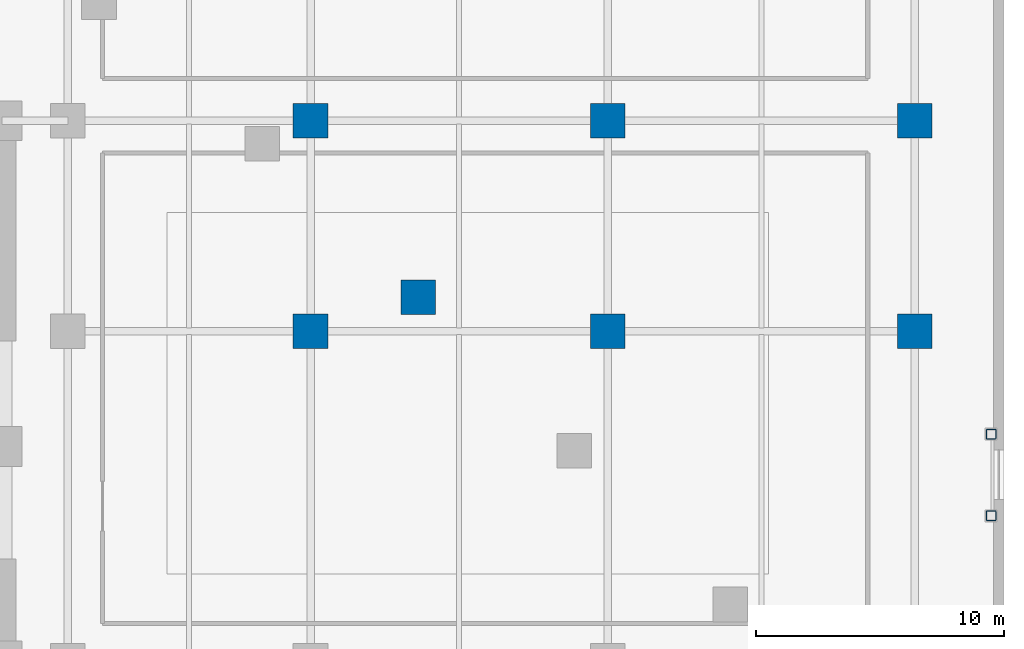
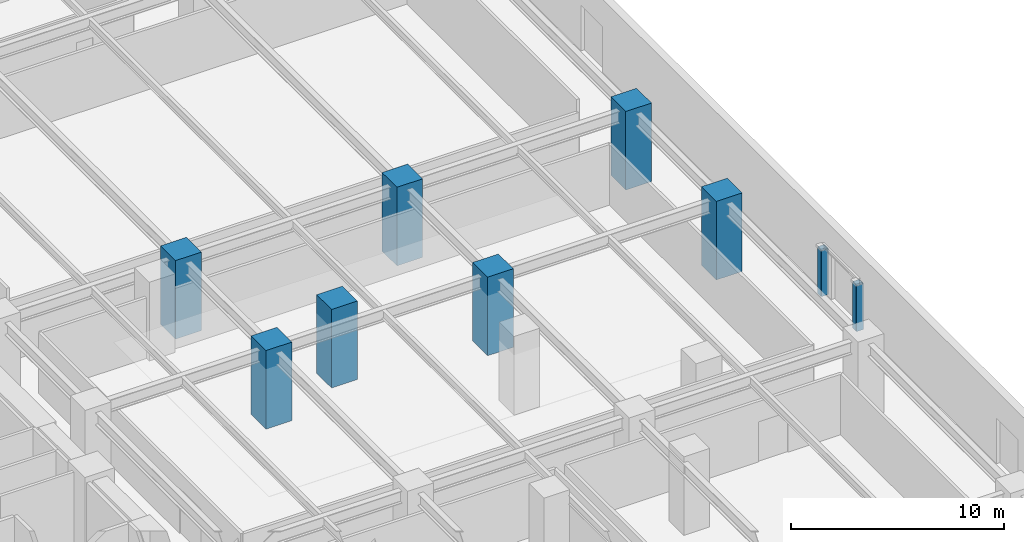
# One storey, part 6 of 42: 9 columns.
"""IFC4 building model written with IfcOpenShell, lengths in metres."""

from ifc_helpers import new_model, si_unit, direction, frame, origin, origin_2d, place, context, subcontext, project, spatial, rectangle, hollow_rectangle, extrude, material, material_profile, profile_set, type_object, element, save


model = new_model("IFC4")

# Units and contexts
model_context = context("Model", 3, precision=1e-05, world=origin(), true_north=direction((0.0, 1.0)))
body_context = subcontext(model_context, "Body", "Model", "MODEL_VIEW")
ifc_project = project(units=[si_unit("LENGTHUNIT", "METRE"), si_unit("AREAUNIT", "SQUARE_METRE"), si_unit("VOLUMEUNIT", "CUBIC_METRE"), si_unit("PLANEANGLEUNIT", "RADIAN"), si_unit("MASSUNIT", "GRAM", prefix="KILO")], contexts=[model_context])

# Site, building, storey
site_placement = place(None, origin())
site = spatial("IfcSite", under=ifc_project, at=site_placement, CompositionType="ELEMENT")
building_placement = place(site_placement, origin())
building = spatial("IfcBuilding", under=site, at=building_placement, Name="Narakoshi Arena Tower", CompositionType="ELEMENT")
storey_placement = place(building_placement, origin())
storey = spatial("IfcBuildingStorey", under=building, at=storey_placement, Name="L00", CompositionType="ELEMENT", Elevation=0.0)

# Columns
ifc_material_1 = material(Name="Concrete C60/75", Category="concrete")
ifc_material_profile_1 = material_profile(ifc_material_1, rectangle(XDim=1.39990234375, YDim=1.39990234375, at=origin_2d()), Name="RC1400x1400")
ifc_profile_set_1 = profile_set([ifc_material_profile_1], Name="Concrete C60/75")
column_type_1 = type_object("IfcColumnType", Name="COL-RC1400", PredefinedType="COLUMN", material=ifc_profile_set_1)
for number, where, z_axis, x_axis, name in (
    (1, (98.0, 48.0, 0.0), (0.0, 0.0, 1.0), (1.0, 0.0, 0.0), "L00 Podium Column PC55"),
    (2, (98.0, 56.5, 0.0), (0.0, 0.0, 1.0), (1.0, 0.0, 0.0), "L00 Podium Column PC56"),
    (3, (110.0, 48.0, 0.0), (0.0, 0.0, 1.0), (1.0, 0.0, 0.0), "L00 Podium Column PC64"),
    (4, (110.0, 56.5, 0.0), (0.0, 0.0, 1.0), (1.0, 0.0, 0.0), "L00 Podium Column PC65"),
    (5, (122.39990234375, 48.0, 0.0), (0.0, 0.0, 1.0), (1.0, 0.0, 0.0), "L00 Podium Column PC73"),
    (6, (122.39990234375, 56.5, 0.0), (0.0, 0.0, 1.0), (1.0, 0.0, 0.0), "L00 Podium Column PC74"),
    (7, (102.345458984375, 49.373779296875, 0.0), (0.0, 0.0, 1.0), (1.0, 0.0, 0.0), "L00 Tower Plumb Pier B1P07"),
):
    element("IfcColumn", number, at=place(storey_placement, frame(where, z_axis=z_axis, x_axis=x_axis)), inside=storey, type_object=column_type_1, Name=name, PredefinedType="COLUMN", context=body_context, shape_type="SweptSolid", body=[
        extrude(rectangle(XDim=1.39990234375, YDim=1.39990234375, at=origin_2d()), origin(), (0.0, 0.0, 1.0), 4.5),
    ])
ifc_material_2 = material(Name="Structural steel S355J2", Category="steel")
ifc_material_profile_2 = material_profile(ifc_material_2, hollow_rectangle(XDim=0.39990234375, YDim=0.39990234375, WallThickness=0.02001953125, OuterFilletRadius=0.0400390625, at=origin_2d()), Name="SHS400x400x20")
ifc_profile_set_2 = profile_set([ifc_material_profile_2], Name="Structural steel S355J2")
column_type_2 = type_object("IfcColumnType", Name="COL-SHS400", PredefinedType="COLUMN", material=ifc_profile_set_2)
for number, where, z_axis, x_axis, name in (
    (8, (125.47998046875, 40.550048828125, 0.0), (0.0, 0.0, 1.0), (1.0, 0.0, 0.0), "L00 Lobby Lintel Jamb Post 06S"),
    (9, (125.47998046875, 43.85009765625, 0.0), (0.0, 0.0, 1.0), (1.0, 0.0, 0.0), "L00 Lobby Lintel Jamb Post 06N"),
):
    element("IfcColumn", number, at=place(storey_placement, frame(where, z_axis=z_axis, x_axis=x_axis)), inside=storey, type_object=column_type_2, Name=name, PredefinedType="COLUMN", context=body_context, shape_type="SweptSolid", body=[
        extrude(hollow_rectangle(XDim=0.39990234375, YDim=0.39990234375, WallThickness=0.02001953125, OuterFilletRadius=0.0400390625, at=origin_2d()), origin(), (0.0, 0.0, 1.0), 2.6298828125),
    ])

save(model, "model.ifc")
